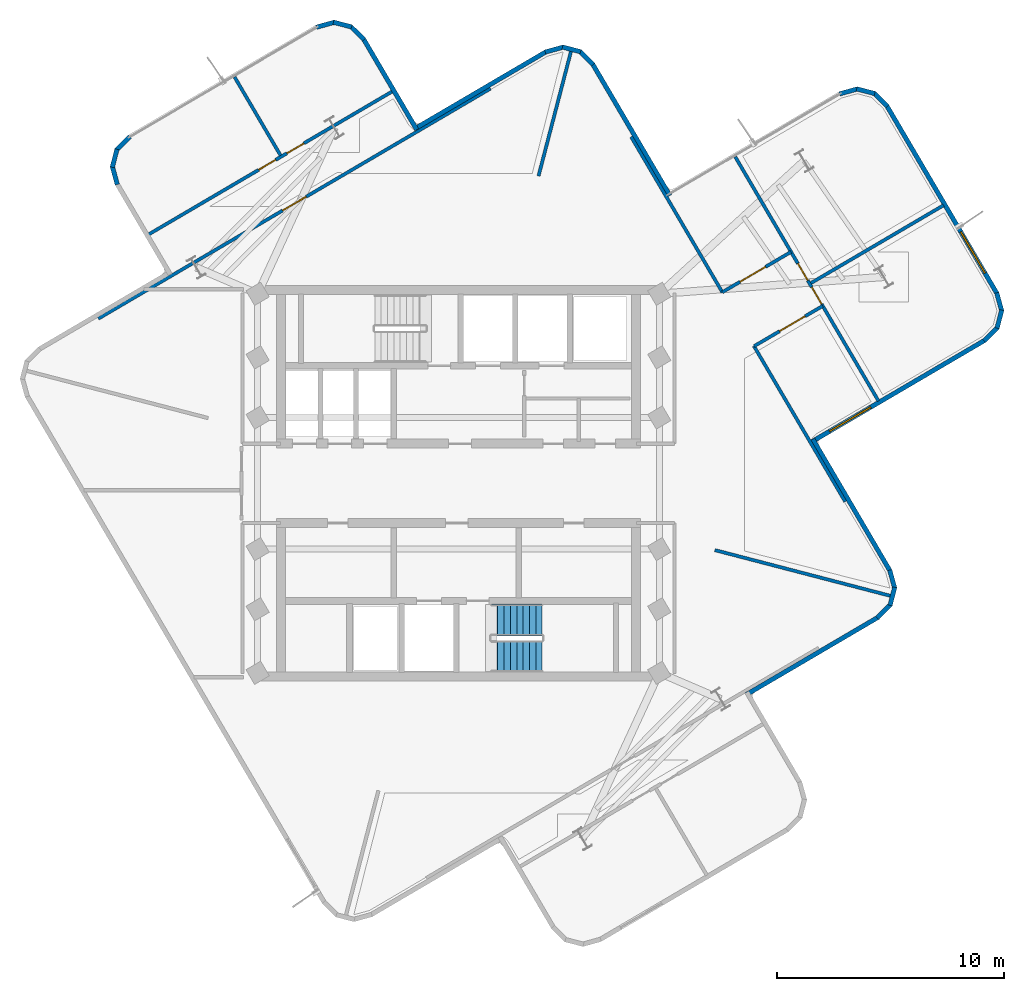
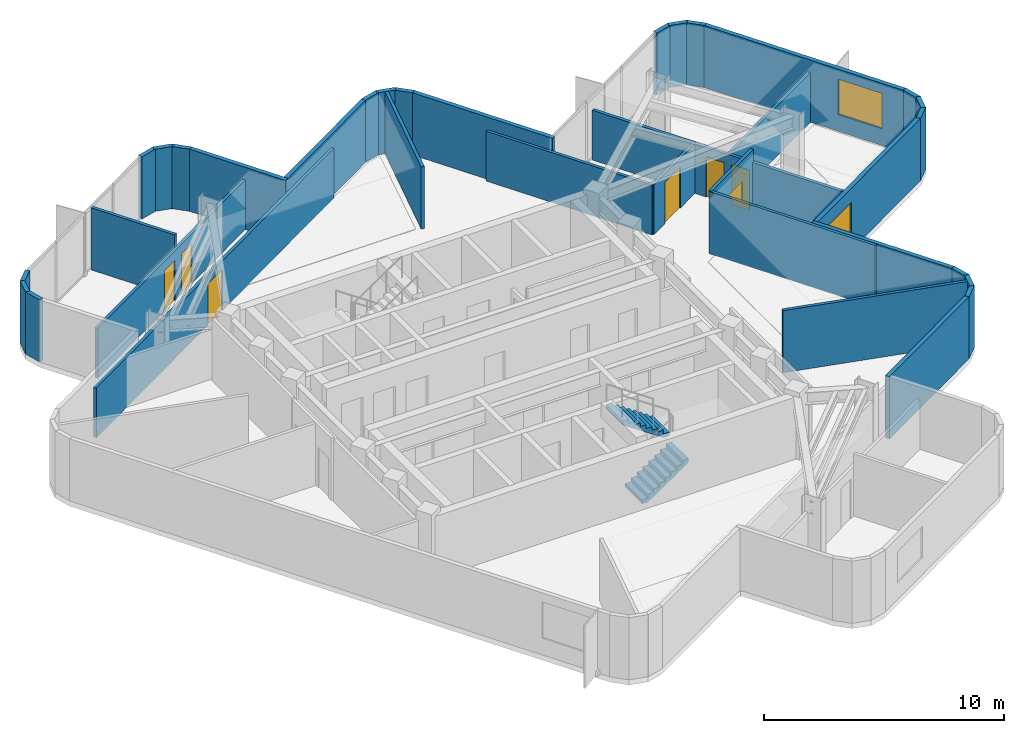
# One storey, part 5 of 8: 36 walls, 7 doors, 2 stair flights, 2 windows, 9 openings, 1 element without a shape of its own.
"""IFC4 building model written with IfcOpenShell, lengths in metres."""

import ifcopenshell
import ifcopenshell.guid

model = None  # the IFC model being written
_history = None  # IfcOwnerHistory: only IFC2X3 demands one
_inside = {}  # id of a spatial element -> (the spatial element, [elements in it])
_under = {}  # id of a project, library or spatial element -> (it, [spatial elements below it])
_declared = {}  # id of a project -> (the project, [libraries it declares])
_typed = {}  # id of a type object -> (the type object, [elements of that type])
_made_of = {}  # id of a material, layer set ... -> (it, [elements and type objects made of it])


def new_model(schema):
    """Start an empty IFC model of exactly this schema.

    Asked for "IFC4X3", IfcOpenShell would pick the latest addendum, in which some entities
    have other attributes; the version numbers below select the first issue.
    IFC2X3 requires an IfcOwnerHistory on every rooted entity: one is made here for all.
    """
    global model, _history
    if schema == "IFC4X3":
        model = ifcopenshell.file(schema_version=(4, 3, 0, 0))
    else:
        model = ifcopenshell.file(schema=schema)
    _inside.clear()
    _under.clear()
    _declared.clear()
    _typed.clear()
    _made_of.clear()
    _history = None
    if model.schema == "IFC2X3":
        org = make("IfcOrganization", Name="unknown")
        user = make(
            "IfcPersonAndOrganization",
            ThePerson=make("IfcPerson", FamilyName="unknown"),
            TheOrganization=org,
        )
        app = make(
            "IfcApplication",
            ApplicationDeveloper=org,
            Version="unknown",
            ApplicationFullName="unknown",
            ApplicationIdentifier="unknown",
        )
        _history = make(
            "IfcOwnerHistory",
            OwningUser=user,
            OwningApplication=app,
            ChangeAction="ADDED",
            CreationDate=0,
        )
    return model


def make(cls, **values):
    """One entity of the class cls with the attributes given. An attribute that is None is left unset."""
    return model.create_entity(
        cls, **{name: value for name, value in values.items() if value is not None}
    )


def rooted(cls, **values):
    """An entity with a GlobalId (a new one), such as an element, a storey or a relation."""
    return make(cls, GlobalId=ifcopenshell.guid.new(), OwnerHistory=_history, **values)


def si_unit(unit_type, name, prefix=None):
    """IfcSIUnit, for example si_unit("LENGTHUNIT", "METRE", prefix="MILLI")."""
    return make("IfcSIUnit", UnitType=unit_type, Prefix=prefix, Name=name)


def assignment(units):
    """IfcUnitAssignment: the units of a project."""
    return None if units is None else make("IfcUnitAssignment", Units=units)


def point(xyz):
    """IfcCartesianPoint."""
    return None if xyz is None else make("IfcCartesianPoint", Coordinates=xyz)


def direction(xyz):
    """IfcDirection."""
    return None if xyz is None else make("IfcDirection", DirectionRatios=xyz)


def frame(location, z_axis=None, x_axis=None):
    """IfcAxis2Placement3D, a coordinate frame: its origin and axes. An axis left out is left unset."""
    return make(
        "IfcAxis2Placement3D",
        Location=point(location),
        Axis=direction(z_axis),
        RefDirection=direction(x_axis),
    )


def frame_2d(location, x_axis=None):
    """IfcAxis2Placement2D, a coordinate frame in the plane: its origin and x axis."""
    return make(
        "IfcAxis2Placement2D", Location=point(location), RefDirection=direction(x_axis)
    )


def origin():
    """The frame at (0, 0, 0) with its axes left unset."""
    return frame((0.0, 0.0, 0.0))


def place(relative_to, where):
    """IfcLocalPlacement: puts the frame where relative to a parent placement (None: the world)."""
    return make(
        "IfcLocalPlacement", PlacementRelTo=relative_to, RelativePlacement=where
    )


def context(
    kind, dimensions, precision=None, world=None, true_north=None, identifier=None
):
    """IfcGeometricRepresentationContext, for example the 3D "Model" context."""
    return make(
        "IfcGeometricRepresentationContext",
        ContextIdentifier=identifier,
        ContextType=kind,
        CoordinateSpaceDimension=dimensions,
        Precision=precision,
        WorldCoordinateSystem=world,
        TrueNorth=true_north,
    )


def subcontext(parent, identifier, kind, view, scale=None):
    """IfcGeometricRepresentationSubContext, for example "Body" below "Model"."""
    return make(
        "IfcGeometricRepresentationSubContext",
        ContextIdentifier=identifier,
        ContextType=kind,
        ParentContext=parent,
        TargetScale=scale,
        TargetView=view,
    )


def project(units=None, contexts=None):
    """IfcProject with its units and contexts."""
    return rooted(
        "IfcProject",
        Name="project",
        RepresentationContexts=contexts,
        UnitsInContext=assignment(units),
    )


def spatial(cls, under=None, at=None, **own):
    """A site, building, storey or space (cls), placed at a placement, below another one or the project."""
    s = rooted(cls, ObjectPlacement=at, **own)
    if under is not None:
        _under.setdefault(under.id(), (under, []))[1].append(s)
    return s


def polyline(points):
    """IfcPolyline through the points."""
    return make("IfcPolyline", Points=[point(p) for p in points])


def profile(cls, at=None, kind="AREA", **sizes):
    """A parametric profile (cls). Its sizes go by their IFC names, for example OverallWidth=200.0."""
    return make(cls, ProfileType=kind, Position=at, **sizes)


def rectangle(**sizes):
    """IfcRectangleProfileDef."""
    return profile("IfcRectangleProfileDef", **sizes)


def outline(outer, holes=None, kind="AREA"):
    """IfcArbitraryClosedProfileDef: a profile drawn as a closed curve; with holes, ...WithVoids."""
    if holes is None:
        return make("IfcArbitraryClosedProfileDef", ProfileType=kind, OuterCurve=outer)
    return make(
        "IfcArbitraryProfileDefWithVoids",
        ProfileType=kind,
        OuterCurve=outer,
        InnerCurves=holes,
    )


def extrude(swept, where, along, depth):
    """IfcExtrudedAreaSolid: the profile swept, set in the frame where, extruded along a direction by depth."""
    return make(
        "IfcExtrudedAreaSolid",
        SweptArea=swept,
        Position=where,
        ExtrudedDirection=direction(along),
        Depth=depth,
    )


def shape(context_of_items, identifier, shape_type, items):
    """IfcShapeRepresentation: the items that make up one representation, for example the "Body"."""
    return make(
        "IfcShapeRepresentation",
        ContextOfItems=context_of_items,
        RepresentationIdentifier=identifier,
        RepresentationType=shape_type,
        Items=items,
    )


def material(Name=None, Category=None):
    """IfcMaterial."""
    return make("IfcMaterial", Name=Name, Category=Category)


def layer(
    of_material, thickness, ventilated=None, Name=None, Category=None, Priority=None
):
    """IfcMaterialLayer: one layer of a wall or slab, of a material (None: an air gap)."""
    return make(
        "IfcMaterialLayer",
        Material=of_material,
        LayerThickness=thickness,
        IsVentilated=ventilated,
        Name=Name,
        Category=Category,
        Priority=Priority,
    )


def layer_set(layers, Name=None):
    """IfcMaterialLayerSet."""
    return make("IfcMaterialLayerSet", MaterialLayers=layers, LayerSetName=Name)


def made_of(thing, what):
    """Note that an element or type object is made of a material, layer set ...; save() writes the relation."""
    if what is not None:
        _made_of.setdefault(what.id(), (what, []))[1].append(thing)
    return thing


def type_object(cls, material=None, **own):
    """A type object (cls), such as IfcWallType, which elements share."""
    return made_of(rooted(cls, **own), material)


def element(
    cls,
    number,
    at=None,
    inside=None,
    cuts=None,
    type_object=None,
    material=None,
    context=None,
    identifier="Body",
    shape_type=None,
    held_by="IfcProductDefinitionShape",
    body=None,
    shapes=None,
    **own,
):
    """One element of the class cls, such as IfcWall. Its Tag is "e" and its number.

    at: its placement. inside: the storey or other place that contains it. cuts: it is an
    opening in that element (IfcRelVoidsElement). A single representation is given by context,
    identifier, shape_type and body (its items); several are given by shapes. held_by: the class
    of the entity that holds the representations. save() writes the other relations.
    """
    e = rooted(cls, Tag="e%d" % number, ObjectPlacement=at, **own)
    if body is not None:
        shapes = [shape(context, identifier, shape_type, body)]
    if shapes is not None:
        e.Representation = make(held_by, Representations=shapes)
    if inside is not None:
        _inside.setdefault(inside.id(), (inside, []))[1].append(e)
    if cuts is not None:
        rooted(
            "IfcRelVoidsElement", RelatingBuildingElement=cuts, RelatedOpeningElement=e
        )
    if type_object is not None:
        _typed.setdefault(type_object.id(), (type_object, []))[1].append(e)
    return made_of(e, material)


def fill(opening, filler):
    """IfcRelFillsElement: the door or window that sits in an opening."""
    return rooted(
        "IfcRelFillsElement",
        RelatingOpeningElement=opening,
        RelatedBuildingElement=filler,
    )


def aggregate(whole, parts):
    """IfcRelAggregates: a whole, such as a stair, and the parts it consists of."""
    return rooted("IfcRelAggregates", RelatingObject=whole, RelatedObjects=parts)


def save(model, path):
    """Write the relations noted so far, then the file.

    IfcRelAggregates (storeys below a building ...), IfcRelContainedInSpatialStructure (elements
    in a storey), IfcRelDefinesByType, IfcRelAssociatesMaterial and IfcRelDeclares: one each for
    every whole, place, type object, material and project.
    """
    for whole, parts in _under.values():
        aggregate(whole, parts)
    for where, things in _inside.values():
        rooted(
            "IfcRelContainedInSpatialStructure",
            RelatedElements=things,
            RelatingStructure=where,
        )
    for kind, things in _typed.values():
        rooted("IfcRelDefinesByType", RelatedObjects=things, RelatingType=kind)
    for what, things in _made_of.values():
        rooted("IfcRelAssociatesMaterial", RelatedObjects=things, RelatingMaterial=what)
    for by, libraries in _declared.values():
        rooted("IfcRelDeclares", RelatingContext=by, RelatedDefinitions=libraries)
    model.write(path)


model = new_model("IFC4")

# Units and contexts
model_context = context("Model", 3, precision=1e-05, world=origin(), true_north=direction((0.0, 1.0)))
body_context = subcontext(model_context, "Body", "Model", "MODEL_VIEW")
ifc_project = project(units=[si_unit("LENGTHUNIT", "METRE"), si_unit("AREAUNIT", "SQUARE_METRE"), si_unit("VOLUMEUNIT", "CUBIC_METRE"), si_unit("PLANEANGLEUNIT", "RADIAN"), si_unit("MASSUNIT", "GRAM", prefix="KILO")], contexts=[model_context])

# Site, building, storey
site_placement = place(None, origin())
site = spatial("IfcSite", under=ifc_project, at=site_placement, CompositionType="ELEMENT")
building_placement = place(site_placement, origin())
building = spatial("IfcBuilding", under=site, at=building_placement, Name="Solmarez Civic Tower", CompositionType="ELEMENT")
storey_placement = place(building_placement, frame((0.0, 0.0, 212.0400390625)))
storey = spatial("IfcBuildingStorey", under=building, at=storey_placement, Name="L56", CompositionType="ELEMENT", Elevation=212.0400390625)

# Walls
ifc_material_1 = material(Name="Precast concrete C40/50", Category="concrete")
ifc_layer_1 = layer(ifc_material_1, 0.199951171875)
ifc_layer_set_1 = layer_set([ifc_layer_1], Name="Precast concrete C40/50")
wall_type_1 = type_object("IfcWallType", Name="WALL-EXT-200", PredefinedType="SOLIDWALL", material=ifc_layer_set_1)
wall_1_placement = place(storey_placement, frame((-15.034912109375, 13.1640625, 0.0), z_axis=(0.0, 0.0, 1.0), x_axis=(-0.266246353668, 0.963905015631, 0.0)))
element("IfcWall", 1, at=wall_1_placement, inside=storey, type_object=wall_type_1, Name="L56 Exterior Precast Wall 14", PredefinedType="SOLIDWALL", context=body_context, shape_type="SweptSolid", body=[
    extrude(rectangle(XDim=0.838134765625, YDim=0.199951171875, at=frame_2d((0.4189453125, 0.0))), origin(), (0.0, 0.0, 1.0), 3.159912109375),
])
wall_2_placement = place(storey_placement, frame((-15.257080078125, 13.924072265625, 0.0), z_axis=(0.0, 0.0, 1.0), x_axis=(0.251167733737, 0.967943577658, 0.0)))
element("IfcWall", 2, at=wall_2_placement, inside=storey, type_object=wall_type_1, Name="L56 Exterior Precast Wall 15", PredefinedType="SOLIDWALL", context=body_context, shape_type="SweptSolid", body=[
    extrude(rectangle(XDim=0.82421875, YDim=0.199951171875, at=frame_2d((0.412109375, 0.0))), origin(), (0.0, 0.0, 1.0), 3.159912109375),
])
wall_3_placement = place(storey_placement, frame((-15.073974609375, 14.679931640625, 0.0), z_axis=(0.0, 0.0, 1.0), x_axis=(0.702877524881, 0.711310891957, 0.0)))
element("IfcWall", 3, at=wall_3_placement, inside=storey, type_object=wall_type_1, Name="L56 Exterior Precast Wall 16", PredefinedType="SOLIDWALL", context=body_context, shape_type="SweptSolid", body=[
    extrude(rectangle(XDim=0.839599609375, YDim=0.199951171875, at=frame_2d((0.419921875, 0.0))), origin(), (0.0, 0.0, 1.0), 3.159912109375),
])
wall_4_placement = place(storey_placement, frame((-6.26904296875, 20.096923828125, 0.0), z_axis=(0.0, 0.0, 1.0), x_axis=(0.963925656212, 0.266171616247, 0.0)))
element("IfcWall", 4, at=wall_4_placement, inside=storey, type_object=wall_type_1, Name="L56 Exterior Precast Wall 18", PredefinedType="SOLIDWALL", context=body_context, shape_type="SweptSolid", body=[
    extrude(rectangle(XDim=0.83837890625, YDim=0.199951171875, at=frame_2d((0.419189453125, 0.0))), origin(), (0.0, 0.0, 1.0), 3.159912109375),
])
wall_5_placement = place(storey_placement, frame((-5.509033203125, 20.319091796875, 0.0), z_axis=(0.0, 0.0, 1.0), x_axis=(0.967962254737, -0.251095745493, 0.0)))
element("IfcWall", 5, at=wall_5_placement, inside=storey, type_object=wall_type_1, Name="L56 Exterior Precast Wall 19", PredefinedType="SOLIDWALL", context=body_context, shape_type="SweptSolid", body=[
    extrude(rectangle(XDim=0.824462890625, YDim=0.199951171875, at=frame_2d((0.412109375, 0.0))), origin(), (0.0, 0.0, 1.0), 3.159912109375),
])
wall_6_placement = place(storey_placement, frame((-4.7529296875, 20.135986328125, 0.0), z_axis=(0.0, 0.0, 1.0), x_axis=(0.711167178618, -0.70302293281, 0.0)))
element("IfcWall", 6, at=wall_6_placement, inside=storey, type_object=wall_type_1, Name="L56 Exterior Precast Wall 20", PredefinedType="SOLIDWALL", context=body_context, shape_type="SweptSolid", body=[
    extrude(rectangle(XDim=0.83935546875, YDim=0.199951171875, at=frame_2d((0.419677734375, 0.0))), origin(), (0.0, 0.0, 1.0), 3.159912109375),
])
wall_7_placement = place(storey_placement, frame((-4.18701171875, 19.5859375, 0.0), z_axis=(0.0, 0.0, 1.0), x_axis=(0.505936854923, -0.862570518178, 0.0)))
element("IfcWall", 7, at=wall_7_placement, inside=storey, type_object=wall_type_1, Name="L56 Exterior Precast Wall 21", PredefinedType="SOLIDWALL", context=body_context, shape_type="SweptSolid", body=[
    extrude(rectangle(XDim=4.640625, YDim=0.199951171875, at=frame_2d((2.3203125, 0.0))), origin(), (0.0, 0.0, 1.0), 3.159912109375),
])
wall_8_placement = place(storey_placement, frame((-1.947998046875, 15.612060546875, 0.0), z_axis=(0.0, 0.0, 1.0), x_axis=(0.86259717351, 0.505891407569, 0.0)))
element("IfcWall", 8, at=wall_8_placement, inside=storey, type_object=wall_type_1, Name="L56 Exterior Precast Wall 24", PredefinedType="SOLIDWALL", context=body_context, shape_type="SweptSolid", body=[
    extrude(rectangle(XDim=6.742431640625, YDim=0.199951171875, at=frame_2d((3.37109375, 0.0))), origin(), (0.0, 0.0, 1.0), 3.159912109375),
])
wall_9_placement = place(storey_placement, frame((3.822021484375, 19.0029296875, 0.0), z_axis=(0.0, 0.0, 1.0), x_axis=(0.963905015631, 0.266246353668, 0.0)))
element("IfcWall", 9, at=wall_9_placement, inside=storey, type_object=wall_type_1, Name="L56 Exterior Precast Wall 25", PredefinedType="SOLIDWALL", context=body_context, shape_type="SweptSolid", body=[
    extrude(rectangle(XDim=0.838134765625, YDim=0.199951171875, at=frame_2d((0.4189453125, 0.0))), origin(), (0.0, 0.0, 1.0), 3.159912109375),
])
wall_10_placement = place(storey_placement, frame((4.58203125, 19.22509765625, 0.0), z_axis=(0.0, 0.0, 1.0), x_axis=(0.967943577658, -0.251167733737, 0.0)))
element("IfcWall", 10, at=wall_10_placement, inside=storey, type_object=wall_type_1, Name="L56 Exterior Precast Wall 26", PredefinedType="SOLIDWALL", context=body_context, shape_type="SweptSolid", body=[
    extrude(rectangle(XDim=0.82421875, YDim=0.199951171875, at=frame_2d((0.412109375, 0.0))), origin(), (0.0, 0.0, 1.0), 3.159912109375),
])
wall_11_placement = place(storey_placement, frame((5.337890625, 19.0419921875, 0.0), z_axis=(0.0, 0.0, 1.0), x_axis=(0.711310891957, -0.702877524881, 0.0)))
element("IfcWall", 11, at=wall_11_placement, inside=storey, type_object=wall_type_1, Name="L56 Exterior Precast Wall 27", PredefinedType="SOLIDWALL", context=body_context, shape_type="SweptSolid", body=[
    extrude(rectangle(XDim=0.839599609375, YDim=0.199951171875, at=frame_2d((0.419921875, 0.0))), origin(), (0.0, 0.0, 1.0), 3.159912109375),
])
wall_12_placement = place(storey_placement, frame((5.904052734375, 18.491943359375, 0.0), z_axis=(0.0, 0.0, 1.0), x_axis=(0.506017844805, -0.862523008817, 0.0)))
element("IfcWall", 12, at=wall_12_placement, inside=storey, type_object=wall_type_1, Name="L56 Exterior Precast Wall 28", PredefinedType="SOLIDWALL", context=body_context, shape_type="SweptSolid", body=[
    extrude(rectangle(XDim=6.74072265625, YDim=0.199951171875, at=frame_2d((3.370361328125, 0.0))), origin(), (0.0, 0.0, 1.0), 3.159912109375),
])
wall_13_placement = place(storey_placement, frame((16.787109375, 17.159912109375, 0.0), z_axis=(0.0, 0.0, 1.0), x_axis=(0.963905015631, 0.266246353668, 0.0)))
element("IfcWall", 13, at=wall_13_placement, inside=storey, type_object=wall_type_1, Name="L56 Exterior Precast Wall 32", PredefinedType="SOLIDWALL", context=body_context, shape_type="SweptSolid", body=[
    extrude(rectangle(XDim=0.838134765625, YDim=0.199951171875, at=frame_2d((0.4189453125, 0.0))), origin(), (0.0, 0.0, 1.0), 3.159912109375),
])
wall_14_placement = place(storey_placement, frame((17.547119140625, 17.382080078125, 0.0), z_axis=(0.0, 0.0, 1.0), x_axis=(0.967943577658, -0.251167733737, 0.0)))
element("IfcWall", 14, at=wall_14_placement, inside=storey, type_object=wall_type_1, Name="L56 Exterior Precast Wall 33", PredefinedType="SOLIDWALL", context=body_context, shape_type="SweptSolid", body=[
    extrude(rectangle(XDim=0.82421875, YDim=0.199951171875, at=frame_2d((0.412109375, 0.0))), origin(), (0.0, 0.0, 1.0), 3.159912109375),
])
wall_15_placement = place(storey_placement, frame((18.302978515625, 17.198974609375, 0.0), z_axis=(0.0, 0.0, 1.0), x_axis=(0.711894657832, -0.702286263677, 0.0)))
element("IfcWall", 15, at=wall_15_placement, inside=storey, type_object=wall_type_1, Name="L56 Exterior Precast Wall 34", PredefinedType="SOLIDWALL", context=body_context, shape_type="SweptSolid", body=[
    extrude(rectangle(XDim=0.83837890625, YDim=0.199951171875, at=frame_2d((0.419189453125, 0.0))), origin(), (0.0, 0.0, 1.0), 3.159912109375),
])

# Wall, opening, window
wall_16_placement = place(storey_placement, frame((18.868896484375, 16.64990234375, 0.0), z_axis=(0.0, 0.0, 1.0), x_axis=(0.505984418435, -0.862542618252, 0.0)))
wall_16 = element("IfcWall", 16, at=wall_16_placement, inside=storey, type_object=wall_type_1, Name="L56 Exterior Precast Wall 35", PredefinedType="SOLIDWALL", context=body_context, shape_type="SweptSolid", body=[
    extrude(rectangle(XDim=9.625, YDim=0.199951171875, at=frame_2d((4.8125, 0.0))), origin(), (0.0, 0.0, 1.0), 3.159912109375),
])
opening_1_placement = place(wall_16_placement, frame((6.45703125, 0.0, 0.85009765625)))
opening_1 = element("IfcOpeningElement", 17, at=opening_1_placement, cuts=wall_16, Name="Opening W-07", PredefinedType="OPENING", context=body_context, shape_type="SweptSolid", body=[
    extrude(rectangle(XDim=2.10009765625, YDim=1.800048828125, at=frame_2d((1.050048828125, 0.89990234375))), frame((0.0, 0.10986328125, 0.0), z_axis=(0.0, -1.0, 0.0), x_axis=(1.0, 0.0, 0.0)), (0.0, 0.0, 1.0), 0.219970703125),
])
ifc_material_2 = material(Name="Solar Control Bronze-Tinted Insulating Glass", Category="glass")
window_type_1 = type_object("IfcWindowType", Name="WIN-2100X1800", PartitioningType="SINGLE_PANEL", PredefinedType="WINDOW", material=ifc_material_2)
window_1_placement = place(opening_1_placement, origin())
window_1 = element("IfcWindow", 18, at=window_1_placement, inside=storey, type_object=window_type_1, Name="L56 Exterior Facade Window 35", OverallHeight=1.800048828125, OverallWidth=2.10009765625, PartitioningType="SINGLE_PANEL", PredefinedType="WINDOW", context=body_context, shape_type="SweptSolid", body=[
    extrude(rectangle(XDim=2.10009765625, YDim=1.800048828125, at=frame_2d((1.050048828125, 0.89990234375))), frame((0.0, 0.030029296875, 0.0), z_axis=(0.0, -1.0, 0.0), x_axis=(1.0, 0.0, 0.0)), (0.0, 0.0, 1.0), 0.06005859375),
])
fill(opening_1, window_1)

# Walls
wall_17_placement = place(storey_placement, frame((23.718994140625, 8.39404296875, 0.0), z_axis=(0.0, 0.0, 1.0), x_axis=(0.267253449678, -0.963626272803, 0.0)))
element("IfcWall", 19, at=wall_17_placement, inside=storey, type_object=wall_type_1, Name="L56 Exterior Precast Wall 36", PredefinedType="SOLIDWALL", context=body_context, shape_type="SweptSolid", body=[
    extrude(rectangle(XDim=0.838623046875, YDim=0.199951171875, at=frame_2d((0.41943359375, 0.0))), origin(), (0.0, 0.0, 1.0), 3.159912109375),
])
wall_18_placement = place(storey_placement, frame((23.94189453125, 7.634033203125, 0.0), z_axis=(0.0, 0.0, 1.0), x_axis=(-0.252494280442, -0.967598386906, 0.0)))
element("IfcWall", 20, at=wall_18_placement, inside=storey, type_object=wall_type_1, Name="L56 Exterior Precast Wall 37", PredefinedType="SOLIDWALL", context=body_context, shape_type="SweptSolid", body=[
    extrude(rectangle(XDim=0.82373046875, YDim=0.199951171875, at=frame_2d((0.411865234375, 0.0))), origin(), (0.0, 0.0, 1.0), 3.159912109375),
])
wall_19_placement = place(storey_placement, frame((23.758056640625, 6.87890625, 0.0), z_axis=(0.0, 0.0, 1.0), x_axis=(-0.701851868682, -0.712322928472, 0.0)))
element("IfcWall", 21, at=wall_19_placement, inside=storey, type_object=wall_type_1, Name="L56 Exterior Precast Wall 38", PredefinedType="SOLIDWALL", context=body_context, shape_type="SweptSolid", body=[
    extrude(rectangle(XDim=0.83935546875, YDim=0.199951171875, at=frame_2d((0.419677734375, 0.0))), origin(), (0.0, 0.0, 1.0), 3.159912109375),
])

# Wall, opening, window
wall_20_placement = place(storey_placement, frame((23.208984375, 6.31201171875, 0.0), z_axis=(0.0, 0.0, 1.0), x_axis=(-0.862602827395, -0.505881766988, 0.0)))
wall_20 = element("IfcWall", 22, at=wall_20_placement, inside=storey, type_object=wall_type_1, Name="L56 Exterior Precast Wall 39", PredefinedType="SOLIDWALL", context=body_context, shape_type="SweptSolid", body=[
    extrude(rectangle(XDim=8.841796875, YDim=0.199951171875, at=frame_2d((4.4208984375, 0.0))), origin(), (0.0, 0.0, 1.0), 3.159912109375),
])
opening_2_placement = place(wall_20_placement, frame((5.846923828125, 0.0, 0.85009765625)))
opening_2 = element("IfcOpeningElement", 23, at=opening_2_placement, cuts=wall_20, Name="Opening W-11", PredefinedType="OPENING", context=body_context, shape_type="SweptSolid", body=[
    extrude(rectangle(XDim=2.10009765625, YDim=1.60009765625, at=frame_2d((1.050048828125, 0.800048828125))), frame((0.0, 0.10986328125, 0.0), z_axis=(0.0, -1.0, 0.0), x_axis=(1.0, 0.0, 0.0)), (0.0, 0.0, 1.0), 0.219970703125),
])
window_type_2 = type_object("IfcWindowType", Name="WIN-2100X1600", PartitioningType="SINGLE_PANEL", PredefinedType="WINDOW", material=ifc_material_2)
window_2_placement = place(opening_2_placement, origin())
window_2 = element("IfcWindow", 24, at=window_2_placement, inside=storey, type_object=window_type_2, Name="L56 Exterior Facade Window 39", OverallHeight=1.60009765625, OverallWidth=2.10009765625, PartitioningType="SINGLE_PANEL", PredefinedType="WINDOW", context=body_context, shape_type="SweptSolid", body=[
    extrude(rectangle(XDim=2.10009765625, YDim=1.60009765625, at=frame_2d((1.050048828125, 0.800048828125))), frame((0.0, 0.030029296875, 0.0), z_axis=(0.0, -1.0, 0.0), x_axis=(1.0, 0.0, 0.0)), (0.0, 0.0, 1.0), 0.06005859375),
])
fill(opening_2, window_2)

# Walls
wall_21_placement = place(storey_placement, frame((15.611083984375, 1.947998046875, 0.0), z_axis=(0.0, 0.0, 1.0), x_axis=(0.505999167705, -0.862533965872, 0.0)))
element("IfcWall", 25, at=wall_21_placement, inside=storey, type_object=wall_type_1, Name="L56 Exterior Precast Wall 42", PredefinedType="SOLIDWALL", context=body_context, shape_type="SweptSolid", body=[
    extrude(rectangle(XDim=6.742919921875, YDim=0.199951171875, at=frame_2d((3.37158203125, 0.0))), origin(), (0.0, 0.0, 1.0), 3.159912109375),
])
wall_22_placement = place(storey_placement, frame((19.0029296875, -3.822021484375, 0.0), z_axis=(0.0, 0.0, 1.0), x_axis=(0.266246353668, -0.963905015631, 0.0)))
element("IfcWall", 26, at=wall_22_placement, inside=storey, type_object=wall_type_1, Name="L56 Exterior Precast Wall 43", PredefinedType="SOLIDWALL", context=body_context, shape_type="SweptSolid", body=[
    extrude(rectangle(XDim=0.838134765625, YDim=0.199951171875, at=frame_2d((0.4189453125, 0.0))), origin(), (0.0, 0.0, 1.0), 3.159912109375),
])
wall_23_placement = place(storey_placement, frame((19.22509765625, -4.58203125, 0.0), z_axis=(0.0, 0.0, 1.0), x_axis=(-0.251167733737, -0.967943577658, 0.0)))
element("IfcWall", 27, at=wall_23_placement, inside=storey, type_object=wall_type_1, Name="L56 Exterior Precast Wall 44", PredefinedType="SOLIDWALL", context=body_context, shape_type="SweptSolid", body=[
    extrude(rectangle(XDim=0.82421875, YDim=0.199951171875, at=frame_2d((0.412109375, 0.0))), origin(), (0.0, 0.0, 1.0), 3.159912109375),
])
wall_24_placement = place(storey_placement, frame((19.0419921875, -5.337890625, 0.0), z_axis=(0.0, 0.0, 1.0), x_axis=(-0.702877524881, -0.711310891957, 0.0)))
element("IfcWall", 28, at=wall_24_placement, inside=storey, type_object=wall_type_1, Name="L56 Exterior Precast Wall 45", PredefinedType="SOLIDWALL", context=body_context, shape_type="SweptSolid", body=[
    extrude(rectangle(XDim=0.839599609375, YDim=0.199951171875, at=frame_2d((0.419921875, 0.0))), origin(), (0.0, 0.0, 1.0), 3.159912109375),
])
wall_25_placement = place(storey_placement, frame((18.491943359375, -5.904052734375, 0.0), z_axis=(0.0, 0.0, 1.0), x_axis=(-0.86245977502, -0.506125613333, 0.0)))
element("IfcWall", 29, at=wall_25_placement, inside=storey, type_object=wall_type_1, Name="L56 Exterior Precast Wall 46", PredefinedType="SOLIDWALL", context=body_context, shape_type="SweptSolid", body=[
    extrude(rectangle(XDim=6.7412109375, YDim=0.199951171875, at=frame_2d((3.37060546875, 0.0))), origin(), (0.0, 0.0, 1.0), 3.159912109375),
])
ifc_material_3 = material(Name="Gypsum Board Acoustic Steel-Stud Partition", Category="steel")
ifc_layer_2 = layer(ifc_material_3, 0.14501953125)
ifc_layer_set_2 = layer_set([ifc_layer_2], Name="Gypsum Board Acoustic Steel-Stud Partition")
wall_type_2 = type_object("IfcWallType", Name="WALL-INT-PART-150", PredefinedType="PARTITIONING", material=ifc_layer_set_2)
wall_26_placement = place(storey_placement, frame((3.527099609375, 13.5400390625, 0.0), z_axis=(0.0, 0.0, 1.0), x_axis=(0.252132617321, 0.967692690519, 0.0)))
element("IfcWall", 30, at=wall_26_placement, inside=storey, type_object=wall_type_2, Name="L56 Interior Partition PT-L56-QDIV-1", PredefinedType="PARTITIONING", context=body_context, shape_type="SweptSolid", body=[
    extrude(rectangle(XDim=5.703369140625, YDim=0.14501953125, at=frame_2d((2.8515625, 0.0))), origin(), (0.0, 0.0, 1.0), 3.159912109375),
])
wall_27_placement = place(storey_placement, frame((11.300048828125, -2.944091796875, 0.0), z_axis=(0.0, 0.0, 1.0), x_axis=(0.967711624716, -0.252059936106, 0.0)))
element("IfcWall", 31, at=wall_27_placement, inside=storey, type_object=wall_type_2, Name="L56 Interior Partition PT-L56-QDIV-4", PredefinedType="PARTITIONING", context=body_context, shape_type="SweptSolid", body=[
    extrude(rectangle(XDim=8.017822265625, YDim=0.14501953125, at=frame_2d((4.0087890625, 0.0))), origin(), (0.0, 0.0, 1.0), 3.159912109375),
])
wall_28_placement = place(storey_placement, frame((11.632080078125, 8.4130859375, 0.0), z_axis=(0.0, 0.0, 1.0), x_axis=(-0.506057561451, 0.862499706955, 0.0)))
element("IfcWall", 32, at=wall_28_placement, inside=storey, type_object=wall_type_2, Name="L56 Interior Partition PT-L56-E-EFL", PredefinedType="PARTITIONING", context=body_context, shape_type="SweptSolid", body=[
    extrude(rectangle(XDim=7.949951171875, YDim=0.14501953125, at=frame_2d((3.97509765625, 0.0))), origin(), (0.0, 0.0, 1.0), 2.530029296875),
])
wall_29_placement = place(storey_placement, frame((17.041015625, -0.806884765625, 0.0), z_axis=(0.0, 0.0, 1.0), x_axis=(-0.505943324238, 0.862566723598, 0.0)))
element("IfcWall", 33, at=wall_29_placement, inside=storey, type_object=wall_type_2, Name="L56 Interior Partition PT-L56-E-EFR", PredefinedType="PARTITIONING", context=body_context, shape_type="SweptSolid", body=[
    extrude(rectangle(XDim=7.949462890625, YDim=0.14501953125, at=frame_2d((3.974609375, 0.0))), origin(), (0.0, 0.0, 1.0), 3.159912109375),
])

# Wall, opening, door
wall_30_placement = place(storey_placement, frame((14.654052734375, 10.197998046875, 0.0), z_axis=(0.0, 0.0, 1.0), x_axis=(-0.862375516706, -0.506269165747, 0.0)))
wall_30 = element("IfcWall", 34, at=wall_30_placement, inside=storey, type_object=wall_type_2, Name="L56 Interior Partition PT-L56-E-SL", PredefinedType="PARTITIONING", context=body_context, shape_type="SweptSolid", body=[
    extrude(rectangle(XDim=3.51025390625, YDim=0.14501953125, at=frame_2d((1.755126953125, 0.0))), origin(), (0.0, 0.0, 1.0), 2.530029296875),
])
opening_3_placement = place(wall_30_placement, frame((1.304931640625, 0.0, 0.0)))
opening_3 = element("IfcOpeningElement", 35, at=opening_3_placement, cuts=wall_30, Name="Opening D-15", PredefinedType="OPENING", context=body_context, shape_type="SweptSolid", body=[
    extrude(rectangle(XDim=1.300048828125, YDim=2.10009765625, at=frame_2d((0.64990234375, 1.050048828125))), frame((0.0, 0.08251953125, 0.0), z_axis=(0.0, -1.0, 0.0), x_axis=(1.0, 0.0, 0.0)), (0.0, 0.0, 1.0), 0.1650390625),
])
ifc_material_4 = material(Name="Tribunal Hearing Conference Door", Category="wood")
door_type_1 = type_object("IfcDoorType", Name="DOOR-INT-1300", OperationType="NOTDEFINED", PredefinedType="DOOR", material=ifc_material_4)
door_1_placement = place(opening_3_placement, origin())
door_1 = element("IfcDoor", 36, at=door_1_placement, inside=storey, type_object=door_type_1, Name="L56 Ministry Open Workspace East Door", OperationType="SINGLE_SWING_LEFT", OverallHeight=2.10009765625, OverallWidth=1.300048828125, PredefinedType="DOOR", context=body_context, shape_type="SweptSolid", body=[
    extrude(rectangle(XDim=1.300048828125, YDim=2.10009765625, at=frame_2d((0.64990234375, 1.050048828125))), frame((0.0, 0.02490234375, 0.0), z_axis=(0.0, -1.0, 0.0), x_axis=(1.0, 0.0, 0.0)), (0.0, 0.0, 1.0), 0.050048828125),
])
fill(opening_3, door_1)

wall_31_placement = place(storey_placement, frame((13.02392578125, 6.041015625, 0.0), z_axis=(0.0, 0.0, 1.0), x_axis=(0.862527334663, 0.506010471195, 0.0)))
wall_31 = element("IfcWall", 37, at=wall_31_placement, inside=storey, type_object=wall_type_2, Name="L56 Interior Partition PT-L56-E-SR", PredefinedType="PARTITIONING", context=body_context, shape_type="SweptSolid", body=[
    extrude(rectangle(XDim=3.509521484375, YDim=0.14501953125, at=frame_2d((1.7548828125, 0.0))), origin(), (0.0, 0.0, 1.0), 3.159912109375),
])
opening_4_placement = place(wall_31_placement, frame((1.304931640625, 0.0, 0.0)))
opening_4 = element("IfcOpeningElement", 38, at=opening_4_placement, cuts=wall_31, Name="Opening D-15", PredefinedType="OPENING", context=body_context, shape_type="SweptSolid", body=[
    extrude(rectangle(XDim=1.300048828125, YDim=2.10009765625, at=frame_2d((0.64990234375, 1.050048828125))), frame((0.0, 0.08251953125, 0.0), z_axis=(0.0, -1.0, 0.0), x_axis=(1.0, 0.0, 0.0)), (0.0, 0.0, 1.0), 0.1650390625),
])
door_2_placement = place(opening_4_placement, origin())
door_2 = element("IfcDoor", 39, at=door_2_placement, inside=storey, type_object=door_type_1, Name="L56 Directorate Office East Door", OperationType="SINGLE_SWING_RIGHT", OverallHeight=2.10009765625, OverallWidth=1.300048828125, PredefinedType="DOOR", context=body_context, shape_type="SweptSolid", body=[
    extrude(rectangle(XDim=1.300048828125, YDim=2.10009765625, at=frame_2d((0.64990234375, 1.050048828125))), frame((0.0, 0.02490234375, 0.0), z_axis=(0.0, -1.0, 0.0), x_axis=(1.0, 0.0, 0.0)), (0.0, 0.0, 1.0), 0.050048828125),
])
fill(opening_4, door_2)

# Wall
wall_32_placement = place(storey_placement, frame((15.531005859375, 8.822021484375, 0.0), z_axis=(0.0, 0.0, 1.0), x_axis=(0.862494081005, 0.506067149923, 0.0)))
element("IfcWall", 40, at=wall_32_placement, inside=storey, type_object=wall_type_2, Name="L56 Interior Partition PT-L56-E-TM", PredefinedType="PARTITIONING", context=body_context, shape_type="SweptSolid", body=[
    extrude(rectangle(XDim=6.775634765625, YDim=0.14501953125, at=frame_2d((3.3876953125, 0.0))), origin(), (0.0, 0.0, 1.0), 2.530029296875),
])

# Wall, openings, doors
wall_33_placement = place(storey_placement, frame((12.197998046875, 14.385009765625, 0.0), z_axis=(0.0, 0.0, 1.0), x_axis=(0.506037527975, -0.862511460956, 0.0)))
wall_33 = element("IfcWall", 41, at=wall_33_placement, inside=storey, type_object=wall_type_2, Name="L56 Interior Partition PT-L56-E-END", PredefinedType="PARTITIONING", context=body_context, shape_type="SweptSolid", body=[
    extrude(rectangle(XDim=12.469482421875, YDim=0.14501953125, at=frame_2d((6.23486328125, 0.0))), origin(), (0.0, 0.0, 1.0), 2.530029296875),
])
opening_5_placement = place(wall_33_placement, frame((6.655029296875, 0.0, 0.0)))
opening_5 = element("IfcOpeningElement", 42, at=opening_5_placement, cuts=wall_33, Name="Opening D-14", PredefinedType="OPENING", context=body_context, shape_type="SweptSolid", body=[
    extrude(rectangle(XDim=0.860107421875, YDim=2.0400390625, at=frame_2d((0.43017578125, 1.02001953125))), frame((0.0, 0.08251953125, 0.0), z_axis=(0.0, -1.0, 0.0), x_axis=(1.0, 0.0, 0.0)), (0.0, 0.0, 1.0), 0.1650390625),
])
opening_6_placement = place(wall_33_placement, frame((5.455078125, 0.0, 0.0)))
opening_6 = element("IfcOpeningElement", 43, at=opening_6_placement, cuts=wall_33, Name="Opening D-14", PredefinedType="OPENING", context=body_context, shape_type="SweptSolid", body=[
    extrude(rectangle(XDim=0.860107421875, YDim=2.0400390625, at=frame_2d((0.43017578125, 1.02001953125))), frame((0.0, 0.08251953125, 0.0), z_axis=(0.0, -1.0, 0.0), x_axis=(1.0, 0.0, 0.0)), (0.0, 0.0, 1.0), 0.1650390625),
])
ifc_material_5 = material(Name="Timber Storage and Pantry Door", Category="wood")
door_type_2 = type_object("IfcDoorType", Name="DOOR-INT-850", OperationType="NOTDEFINED", PredefinedType="DOOR", material=ifc_material_5)
door_3_placement = place(opening_5_placement, origin())
door_3 = element("IfcDoor", 44, at=door_3_placement, inside=storey, type_object=door_type_2, Name="L56 Staff Pantry Sixth East Door", OperationType="SINGLE_SWING_RIGHT", OverallHeight=2.0400390625, OverallWidth=0.860107421875, PredefinedType="DOOR", context=body_context, shape_type="SweptSolid", body=[
    extrude(rectangle(XDim=0.860107421875, YDim=2.0400390625, at=frame_2d((0.43017578125, 1.02001953125))), frame((0.0, 0.02490234375, 0.0), z_axis=(0.0, -1.0, 0.0), x_axis=(1.0, 0.0, 0.0)), (0.0, 0.0, 1.0), 0.050048828125),
])
fill(opening_5, door_3)
door_4_placement = place(opening_6_placement, origin())
door_4 = element("IfcDoor", 45, at=door_4_placement, inside=storey, type_object=door_type_2, Name="L56 Policy Boardroom Fifth East Door", OperationType="SINGLE_SWING_LEFT", OverallHeight=2.0400390625, OverallWidth=0.860107421875, PredefinedType="DOOR", context=body_context, shape_type="SweptSolid", body=[
    extrude(rectangle(XDim=0.860107421875, YDim=2.0400390625, at=frame_2d((0.43017578125, 1.02001953125))), frame((0.0, 0.02490234375, 0.0), z_axis=(0.0, -1.0, 0.0), x_axis=(1.0, 0.0, 0.0)), (0.0, 0.0, 1.0), 0.050048828125),
])
fill(opening_6, door_4)

# Wall, opening, door
wall_34_placement = place(storey_placement, frame((-15.873046875, 7.2548828125, 0.0), z_axis=(0.0, 0.0, 1.0), x_axis=(0.862498672631, 0.506059324299, 0.0)))
wall_34 = element("IfcWall", 46, at=wall_34_placement, inside=storey, type_object=wall_type_2, Name="L56 Interior Partition PT-L56-N-ENT", PredefinedType="PARTITIONING", context=body_context, shape_type="SweptSolid", body=[
    extrude(rectangle(XDim=20.039306640625, YDim=0.14501953125, at=frame_2d((10.01953125, 0.0))), origin(), (0.0, 0.0, 1.0), 2.530029296875),
])
opening_7_placement = place(wall_34_placement, frame((9.419921875, 0.0, 0.0)))
opening_7 = element("IfcOpeningElement", 47, at=opening_7_placement, cuts=wall_34, Name="Opening D-11", PredefinedType="OPENING", context=body_context, shape_type="SweptSolid", body=[
    extrude(rectangle(XDim=1.199951171875, YDim=2.10009765625, at=frame_2d((0.60009765625, 1.050048828125))), frame((0.0, 0.08251953125, 0.0), z_axis=(0.0, -1.0, 0.0), x_axis=(1.0, 0.0, 0.0)), (0.0, 0.0, 1.0), 0.1650390625),
])
ifc_material_6 = material(Name="Glazed-Vision Acoustic Chamber Door", Category="wood")
door_type_3 = type_object("IfcDoorType", Name="DOOR-INT-1200", OperationType="NOTDEFINED", PredefinedType="DOOR", material=ifc_material_6)
door_5_placement = place(opening_7_placement, origin())
door_5 = element("IfcDoor", 48, at=door_5_placement, inside=storey, type_object=door_type_3, Name="L56 Directorate Office First North Door", OperationType="SINGLE_SWING_LEFT", OverallHeight=2.10009765625, OverallWidth=1.199951171875, PredefinedType="DOOR", context=body_context, shape_type="SweptSolid", body=[
    extrude(rectangle(XDim=1.199951171875, YDim=2.10009765625, at=frame_2d((0.60009765625, 1.050048828125))), frame((0.0, 0.02490234375, 0.0), z_axis=(0.0, -1.0, 0.0), x_axis=(1.0, 0.0, 0.0)), (0.0, 0.0, 1.0), 0.050048828125),
])
fill(opening_7, door_5)

# Wall
wall_35_placement = place(storey_placement, frame((-7.840087890625, 14.448974609375, 0.0), z_axis=(0.0, 0.0, 1.0), x_axis=(-0.505991637753, 0.862538383218, 0.0)))
element("IfcWall", 49, at=wall_35_placement, inside=storey, type_object=wall_type_2, Name="L56 Interior Partition PT-L56-N-TSP", PredefinedType="PARTITIONING", context=body_context, shape_type="SweptSolid", body=[
    extrude(rectangle(XDim=4.005615234375, YDim=0.14501953125, at=frame_2d((2.0029296875, 0.0))), origin(), (0.0, 0.0, 1.0), 3.159912109375),
])

# Wall, openings, doors
wall_36_placement = place(storey_placement, frame((-2.906005859375, 17.27490234375, 0.0), z_axis=(0.0, 0.0, 1.0), x_axis=(-0.862505879614, -0.506047040927, 0.0)))
wall_36 = element("IfcWall", 50, at=wall_36_placement, inside=storey, type_object=wall_type_2, Name="L56 Interior Partition PT-L56-N-SCUT", PredefinedType="PARTITIONING", context=body_context, shape_type="SweptSolid", body=[
    extrude(rectangle(XDim=12.470703125, YDim=0.14501953125, at=frame_2d((6.2353515625, 0.0))), origin(), (0.0, 0.0, 1.0), 2.530029296875),
])
opening_8_placement = place(wall_36_placement, frame((4.534912109375, 0.0, 0.0)))
opening_8 = element("IfcOpeningElement", 51, at=opening_8_placement, cuts=wall_36, Name="Opening D-14", PredefinedType="OPENING", context=body_context, shape_type="SweptSolid", body=[
    extrude(rectangle(XDim=0.860107421875, YDim=2.0400390625, at=frame_2d((0.43017578125, 1.02001953125))), frame((0.0, 0.08251953125, 0.0), z_axis=(0.0, -1.0, 0.0), x_axis=(1.0, 0.0, 0.0)), (0.0, 0.0, 1.0), 0.1650390625),
])
opening_9_placement = place(wall_36_placement, frame((5.97509765625, 0.0, 0.0)))
opening_9 = element("IfcOpeningElement", 52, at=opening_9_placement, cuts=wall_36, Name="Opening D-14", PredefinedType="OPENING", context=body_context, shape_type="SweptSolid", body=[
    extrude(rectangle(XDim=0.860107421875, YDim=2.0400390625, at=frame_2d((0.43017578125, 1.02001953125))), frame((0.0, 0.08251953125, 0.0), z_axis=(0.0, -1.0, 0.0), x_axis=(1.0, 0.0, 0.0)), (0.0, 0.0, 1.0), 0.1650390625),
])
door_6_placement = place(opening_8_placement, origin())
door_6 = element("IfcDoor", 53, at=door_6_placement, inside=storey, type_object=door_type_2, Name="L56 Staff Pantry Third North Door", OperationType="SINGLE_SWING_RIGHT", OverallHeight=2.0400390625, OverallWidth=0.860107421875, PredefinedType="DOOR", context=body_context, shape_type="SweptSolid", body=[
    extrude(rectangle(XDim=0.860107421875, YDim=2.0400390625, at=frame_2d((0.43017578125, 1.02001953125))), frame((0.0, 0.02490234375, 0.0), z_axis=(0.0, -1.0, 0.0), x_axis=(1.0, 0.0, 0.0)), (0.0, 0.0, 1.0), 0.050048828125),
])
fill(opening_8, door_6)
door_7_placement = place(opening_9_placement, origin())
door_7 = element("IfcDoor", 54, at=door_7_placement, inside=storey, type_object=door_type_2, Name="L56 Policy Boardroom Second North Door", OperationType="SINGLE_SWING_LEFT", OverallHeight=2.0400390625, OverallWidth=0.860107421875, PredefinedType="DOOR", context=body_context, shape_type="SweptSolid", body=[
    extrude(rectangle(XDim=0.860107421875, YDim=2.0400390625, at=frame_2d((0.43017578125, 1.02001953125))), frame((0.0, 0.02490234375, 0.0), z_axis=(0.0, -1.0, 0.0), x_axis=(1.0, 0.0, 0.0)), (0.0, 0.0, 1.0), 0.050048828125),
])
fill(opening_9, door_7)

# Stair, stair flights
ifc_material_7 = material(Name="Concrete C50/60", Category="concrete")
stair_type = type_object("IfcStairType", Name="STAIR-DOGLEG-140W-18R-1900", PredefinedType="HALF_TURN_STAIR", material=ifc_material_7)
stair_placement = place(storey_placement, origin())
stair = element("IfcStair", 55, at=stair_placement, inside=storey, type_object=stair_type, Name="L56 South Core Protected Exit Stair ST-2", PredefinedType="HALF_TURN_STAIR")
stair_flight_type = type_object("IfcStairFlightType", Name="FLIGHT-DOGLEG-140W-9R-1900", PredefinedType="STRAIGHT", material=ifc_material_7)
stair_flight_1_placement = place(storey_placement, frame((1.449951171875, -7.6201171875, 0.0), z_axis=(0.0, 0.0, 1.0), x_axis=(1.0, 0.0, 0.0)))
stair_flight_1 = element("IfcStairFlight", 56, at=stair_flight_1_placement, type_object=stair_flight_type, Name="ST-2 flight 1", NumberOfRisers=9, NumberOfTreads=8, PredefinedType="STRAIGHT", RiserHeight=0.19, TreadLength=0.28, context=body_context, shape_type="SweptSolid", body=[
    extrude(outline(polyline([(0.0, 0.0), (0.0, 0.18994140625), (0.280029296875, 0.18994140625), (0.280029296875, 0.3798828125), (0.56005859375, 0.3798828125), (0.56005859375, 0.570068359375), (0.840087890625, 0.570068359375), (0.840087890625, 0.760009765625), (1.1201171875, 0.760009765625), (1.1201171875, 0.949951171875), (1.39990234375, 0.949951171875), (1.39990234375, 1.139892578125), (1.679931640625, 1.139892578125), (1.679931640625, 1.330078125), (1.9599609375, 1.330078125), (1.9599609375, 1.52001953125), (2.239990234375, 1.52001953125), (2.239990234375, 1.7099609375), (2.239990234375, 1.32666015625), (0.284912109375, 0.0), (0.0, 0.0)])), frame((0.0, 0.699951171875, 0.0), z_axis=(0.0, -1.0, 0.0), x_axis=(1.0, 0.0, 0.0)), (0.0, 0.0, 1.0), 1.39990234375),
])
stair_flight_2_placement = place(storey_placement, frame((3.68994140625, -6.02001953125, 1.7099609375), z_axis=(0.0, 0.0, 1.0), x_axis=(-1.0, 0.0, 0.0)))
stair_flight_2 = element("IfcStairFlight", 57, at=stair_flight_2_placement, type_object=stair_flight_type, Name="ST-2 flight 2", NumberOfRisers=9, NumberOfTreads=8, PredefinedType="STRAIGHT", RiserHeight=0.19, TreadLength=0.28, context=body_context, shape_type="SweptSolid", body=[
    extrude(outline(polyline([(0.0, 0.0), (0.0, 0.18994140625), (0.280029296875, 0.18994140625), (0.280029296875, 0.3798828125), (0.56005859375, 0.3798828125), (0.56005859375, 0.570068359375), (0.840087890625, 0.570068359375), (0.840087890625, 0.760009765625), (1.1201171875, 0.760009765625), (1.1201171875, 0.949951171875), (1.39990234375, 0.949951171875), (1.39990234375, 1.139892578125), (1.679931640625, 1.139892578125), (1.679931640625, 1.330078125), (1.9599609375, 1.330078125), (1.9599609375, 1.52001953125), (2.239990234375, 1.52001953125), (2.239990234375, 1.7099609375), (2.239990234375, 1.32666015625), (0.284912109375, 0.0), (0.0, 0.0)])), frame((0.0, 0.699951171875, 0.0), z_axis=(0.0, -1.0, 0.0), x_axis=(1.0, 0.0, 0.0)), (0.0, 0.0, 1.0), 1.39990234375),
])
aggregate(stair, [stair_flight_1, stair_flight_2])

save(model, "model.ifc")
